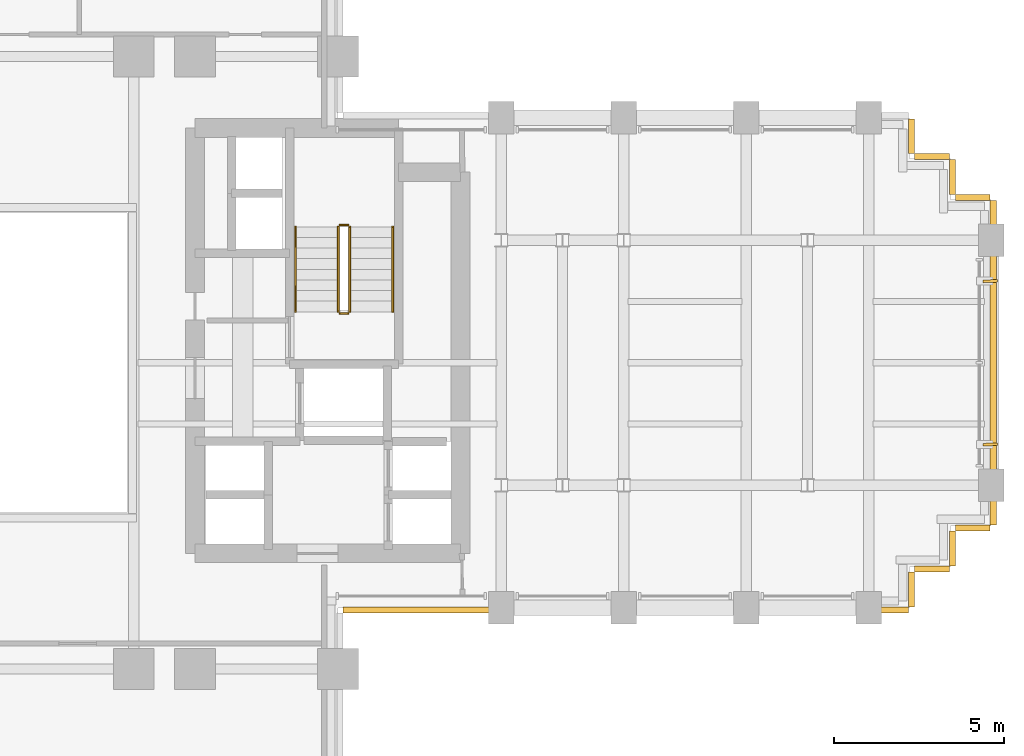
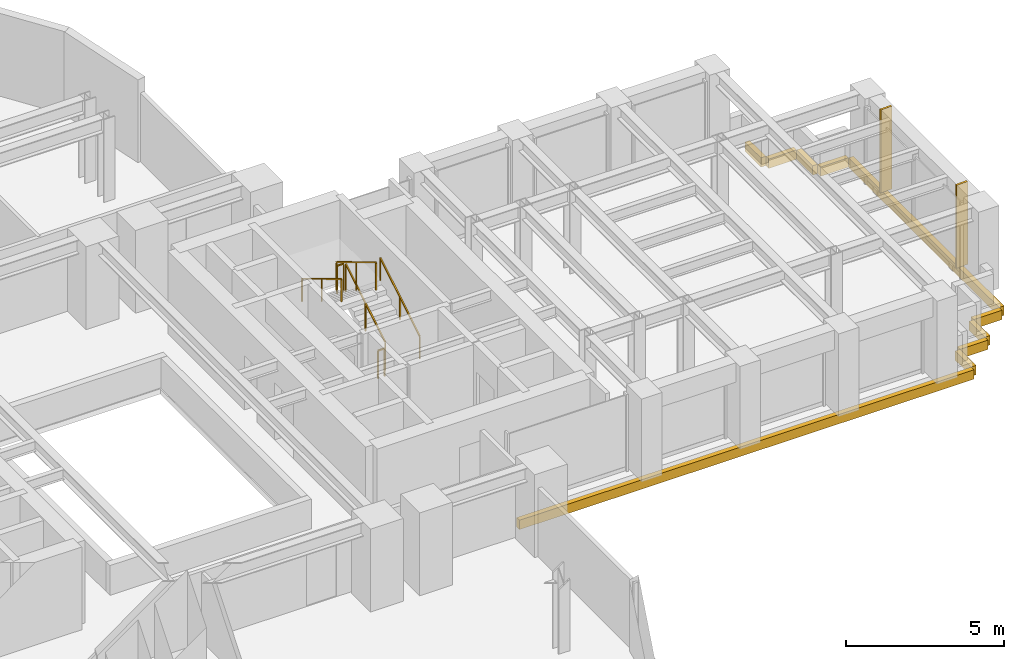
# One storey, part 15 of 16: 10 coverings, 6 railings, 2 shading devices.
"""IFC4 building model written with IfcOpenShell, lengths in metres."""

from ifc_helpers import new_model, si_unit, direction, frame, origin, origin_2d, place, context, subcontext, project, spatial, rectangle, extrude, source, transform, mapped, material, layer, layer_set, type_object, element, save


model = new_model("IFC4")

# Units and contexts
model_context = context("Model", 3, precision=1e-05, world=origin(), true_north=direction((0.0, 1.0)))
body_context = subcontext(model_context, "Body", "Model", "MODEL_VIEW")
ifc_project = project(units=[si_unit("LENGTHUNIT", "METRE"), si_unit("AREAUNIT", "SQUARE_METRE"), si_unit("VOLUMEUNIT", "CUBIC_METRE"), si_unit("PLANEANGLEUNIT", "RADIAN"), si_unit("MASSUNIT", "GRAM", prefix="KILO")], contexts=[model_context])

# Site, building, storey
site_placement = place(None, origin())
site = spatial("IfcSite", under=ifc_project, at=site_placement, CompositionType="ELEMENT")
building_placement = place(site_placement, origin())
building = spatial("IfcBuilding", under=site, at=building_placement, Name="Keilestroom Media Tower", CompositionType="ELEMENT")
storey_placement = place(building_placement, frame((0.0, 0.0, 37.39990234375)))
storey = spatial("IfcBuildingStorey", under=building, at=storey_placement, Name="L08", CompositionType="ELEMENT", Elevation=37.39990234375)

# Railings
ifc_material_1 = material(Name="Brushed Stainless Steel 1.4301", Category="steel")
railing_type_1 = type_object("IfcRailingType", Name="Stair-Pitch-Handrail-920", PredefinedType="HANDRAIL", material=ifc_material_1)
railing_1_placement = place(storey_placement, frame((11.2099609375, 1.5, 0.18896484375)))
element("IfcRailing", 1, at=railing_1_placement, inside=storey, type_object=railing_type_1, Name="L08 ST-2 stair handrail 1", PredefinedType="HANDRAIL", context=body_context, shape_type="SweptSolid", body=[
    extrude(rectangle(XDim=0.048095703125, YDim=0.048095703125, at=origin_2d()), frame((0.0, 0.0, 0.8759765625), z_axis=(0.0, 0.855433747314, 0.517912255074), x_axis=(-1.0, 0.0, 0.0)), (0.0, 0.0, 1.0), 2.91796875),
    extrude(rectangle(XDim=0.0419921875, YDim=0.0419921875, at=origin_2d()), origin(), (0.0, 0.0, 1.0), 0.84375),
    extrude(rectangle(XDim=0.0419921875, YDim=0.0419921875, at=origin_2d()), frame((0.0, 1.248046875, 0.755615234375)), (0.0, 0.0, 1.0), 0.84375),
    extrude(rectangle(XDim=0.0419921875, YDim=0.0419921875, at=origin_2d()), frame((0.0, 2.49609375, 1.51123046875)), (0.0, 0.0, 1.0), 0.84375),
])
railing_2_placement = place(storey_placement, frame((8.35009765625, 3.99609375, 1.888916015625)))
element("IfcRailing", 2, at=railing_2_placement, inside=storey, type_object=railing_type_1, Name="L08 ST-2 stair handrail 2", PredefinedType="HANDRAIL", context=body_context, shape_type="SweptSolid", body=[
    extrude(rectangle(XDim=0.048095703125, YDim=0.048095703125, at=origin_2d()), frame((0.0, 0.0, 0.8759765625), z_axis=(0.0, -0.855433747314, 0.517912255074), x_axis=(1.0, 0.0, 0.0)), (0.0, 0.0, 1.0), 2.91796875),
    extrude(rectangle(XDim=0.0419921875, YDim=0.0419921875, at=origin_2d()), origin(), (0.0, 0.0, 1.0), 0.84375),
    extrude(rectangle(XDim=0.0419921875, YDim=0.0419921875, at=origin_2d()), frame((0.0, -1.248046875, 0.755615234375)), (0.0, 0.0, 1.0), 0.84375),
    extrude(rectangle(XDim=0.0419921875, YDim=0.0419921875, at=origin_2d()), frame((0.0, -2.49609375, 1.51123046875)), (0.0, 0.0, 1.0), 0.84375),
])
ifc_material_2 = material(Name="Painted Steel Balustrade", Category="steel")
railing_type_2 = type_object("IfcRailingType", Name="Stair-Well-And-Landing-Guard-1100", PredefinedType="GUARDRAIL", material=ifc_material_2)
railing_3_placement = place(storey_placement, frame((9.949951171875, 1.5, 0.18896484375)))
element("IfcRailing", 3, at=railing_3_placement, inside=storey, type_object=railing_type_2, Name="L08 ST-2 stair guard 1", PredefinedType="GUARDRAIL", context=body_context, shape_type="SweptSolid", body=[
    extrude(rectangle(XDim=0.048095703125, YDim=0.048095703125, at=origin_2d()), frame((0.0, 0.0, 1.076171875), z_axis=(0.0, 0.855433747314, 0.517912255074), x_axis=(-1.0, 0.0, 0.0)), (0.0, 0.0, 1.0), 2.91796875),
    extrude(rectangle(XDim=0.0419921875, YDim=0.0419921875, at=origin_2d()), origin(), (0.0, 0.0, 1.0), 1.0439453125),
    extrude(rectangle(XDim=0.0419921875, YDim=0.0419921875, at=origin_2d()), frame((0.0, 1.248046875, 0.755615234375)), (0.0, 0.0, 1.0), 1.0439453125),
    extrude(rectangle(XDim=0.0419921875, YDim=0.0419921875, at=origin_2d()), frame((0.0, 2.49609375, 1.51123046875)), (0.0, 0.0, 1.0), 1.0439453125),
])
railing_4_placement = place(storey_placement, frame((9.89990234375, 4.0458984375, 1.7001953125)))
element("IfcRailing", 4, at=railing_4_placement, inside=storey, type_object=railing_type_2, Name="L08 ST-2 stair guard 2", PredefinedType="GUARDRAIL", context=body_context, shape_type="SweptSolid", body=[
    extrude(rectangle(XDim=0.048095703125, YDim=0.048095703125, at=origin_2d()), frame((0.0, 0.0, 1.076171875), z_axis=(-1.0, 0.0, 0.0), x_axis=(0.0, -1.0, 0.0)), (0.0, 0.0, 1.0), 0.239990234375),
    extrude(rectangle(XDim=0.0419921875, YDim=0.0419921875, at=origin_2d()), origin(), (0.0, 0.0, 1.0), 1.0439453125),
    extrude(rectangle(XDim=0.0419921875, YDim=0.0419921875, at=origin_2d()), frame((-0.239990234375, 0.0, 0.0)), (0.0, 0.0, 1.0), 1.0439453125),
])
railing_5_placement = place(storey_placement, frame((9.610107421875, 3.99609375, 1.888916015625)))
element("IfcRailing", 5, at=railing_5_placement, inside=storey, type_object=railing_type_2, Name="L08 ST-2 stair guard 3", PredefinedType="GUARDRAIL", context=body_context, shape_type="SweptSolid", body=[
    extrude(rectangle(XDim=0.048095703125, YDim=0.048095703125, at=origin_2d()), frame((0.0, 0.0, 1.076171875), z_axis=(0.0, -0.855433747314, 0.517912255074), x_axis=(1.0, 0.0, 0.0)), (0.0, 0.0, 1.0), 2.91796875),
    extrude(rectangle(XDim=0.0419921875, YDim=0.0419921875, at=origin_2d()), origin(), (0.0, 0.0, 1.0), 1.0439453125),
    extrude(rectangle(XDim=0.0419921875, YDim=0.0419921875, at=origin_2d()), frame((0.0, -1.248046875, 0.755615234375)), (0.0, 0.0, 1.0), 1.0439453125),
    extrude(rectangle(XDim=0.0419921875, YDim=0.0419921875, at=origin_2d()), frame((0.0, -2.49609375, 1.51123046875)), (0.0, 0.0, 1.0), 1.0439453125),
])
railing_6_placement = place(storey_placement, frame((9.89990234375, 1.449951171875, 0.0)))
element("IfcRailing", 6, at=railing_6_placement, inside=storey, type_object=railing_type_2, Name="L08 ST-2 stair guard 4", PredefinedType="GUARDRAIL", context=body_context, shape_type="SweptSolid", body=[
    extrude(rectangle(XDim=0.048095703125, YDim=0.048095703125, at=origin_2d()), frame((0.0, 0.0, 1.076171875), z_axis=(-1.0, 0.0, 0.0), x_axis=(0.0, -1.0, 0.0)), (0.0, 0.0, 1.0), 0.239990234375),
    extrude(rectangle(XDim=0.0419921875, YDim=0.0419921875, at=origin_2d()), origin(), (0.0, 0.0, 1.0), 1.0439453125),
    extrude(rectangle(XDim=0.0419921875, YDim=0.0419921875, at=origin_2d()), frame((-0.239990234375, 0.0, 0.0)), (0.0, 0.0, 1.0), 1.0439453125),
])

# Shading devices
ifc_material_3 = material(Name="Bronze Anodised Aluminium", Category="aluminium")
shading_device_type = type_object("IfcShadingDeviceType", Name="Facade-Vertical-Sunshade-Fin-SHD-1", PredefinedType="USERDEFINED", material=ifc_material_3)
shared_shape_1 = source(origin(), body_context, "Body", "SweptSolid", [
    extrude(rectangle(XDim=0.419921875, YDim=0.080078125, at=origin_2d()), origin(), (0.0, 0.0, 1.0), 3.199951171875),
])
for number, where, z_axis, x_axis, name in (
    (7, (28.77001953125, -2.39990234375, 0.0), (0.0, 0.0, 1.0), (0.999262916411, 0.038387809088, 0.0), "L08 Twisting Sunshade Fin SHD-1 007"),
    (8, (28.77001953125, 2.39990234375, 0.0), (0.0, 0.0, 1.0), (0.999262916411, 0.038387809088, 0.0), "L08 Twisting Sunshade Fin SHD-1 008"),
):
    element("IfcShadingDevice", number, at=place(storey_placement, frame(where, z_axis=z_axis, x_axis=x_axis)), inside=storey, type_object=shading_device_type, Name=name, ObjectType="SUNSHADE", PredefinedType="USERDEFINED", context=body_context, shape_type="MappedRepresentation", body=[
        mapped(shared_shape_1, transform((0.0, 0.0, 0.0), x_axis=(1.0, 0.0, 0.0), y_axis=(0.0, 1.0, 0.0), z_axis=(0.0, 0.0, 1.0), scale=1.0)),
    ])

# Coverings
ifc_material_4 = material(Name="Precast concrete C40/50", Category="concrete")
ifc_layer = layer(ifc_material_4, 0.1201171875)
ifc_layer_set = layer_set([ifc_layer], Name="Precast concrete C40/50")
covering_type = type_object("IfcCoveringType", Name="Exterior-Precast-Spandrel-Cladding-Panel-120", PredefinedType="CLADDING", material=ifc_layer_set)
shared_shape_2 = source(origin(), body_context, "Body", "SweptSolid", [
    extrude(rectangle(XDim=1.02001953125, YDim=0.179931640625, at=origin_2d()), origin(), (0.0, 0.0, 1.0), 0.360107421875),
])
for number, where, z_axis, x_axis, name in (
    (9, (28.260009765625, -4.860107421875, -0.5400390625), (0.0, 0.0, 1.0), (-1.0, 0.0, 0.0), "L08 Precast Slab-Edge Fascia Cornice 01"),
    (10, (27.659912109375, -5.4599609375, -0.5400390625), (0.0, 0.0, 1.0), (0.0, -1.0, 0.0), "L08 Precast Slab-Edge Fascia Cornice 02"),
    (11, (27.06005859375, -6.06005859375, -0.5400390625), (0.0, 0.0, 1.0), (-1.0, 0.0, 0.0), "L08 Precast Slab-Edge Fascia Cornice 03"),
    (12, (26.4599609375, -6.659912109375, -0.5400390625), (0.0, 0.0, 1.0), (0.0, -1.0, 0.0), "L08 Precast Slab-Edge Fascia Cornice 04"),
    (13, (26.4599609375, 6.659912109375, -0.5400390625), (0.0, 0.0, 1.0), (0.0, -1.0, 0.0), "L08 Precast Slab-Edge Fascia Cornice 38"),
    (14, (27.06005859375, 6.06005859375, -0.5400390625), (0.0, 0.0, 1.0), (1.0, 0.0, 0.0), "L08 Precast Slab-Edge Fascia Cornice 39"),
    (15, (27.659912109375, 5.4599609375, -0.5400390625), (0.0, 0.0, 1.0), (0.0, -1.0, 0.0), "L08 Precast Slab-Edge Fascia Cornice 40"),
    (16, (28.260009765625, 4.860107421875, -0.5400390625), (0.0, 0.0, 1.0), (1.0, 0.0, 0.0), "L08 Precast Slab-Edge Fascia Cornice 41"),
):
    element("IfcCovering", number, at=place(storey_placement, frame(where, z_axis=z_axis, x_axis=x_axis)), inside=storey, type_object=covering_type, Name=name, PredefinedType="CLADDING", context=body_context, shape_type="MappedRepresentation", body=[
        mapped(shared_shape_2, transform((0.0, 0.0, 0.0), x_axis=(1.0, 0.0, 0.0), y_axis=(0.0, 1.0, 0.0), z_axis=(0.0, 0.0, 1.0), scale=1.0)),
    ])
shared_shape_3 = source(origin(), body_context, "Body", "SweptSolid", [
    extrude(rectangle(XDim=16.6201171875, YDim=0.179931640625, at=origin_2d()), origin(), (0.0, 0.0, 1.0), 0.360107421875),
])
covering_1_placement = place(storey_placement, frame((18.06005859375, -7.260009765625, -0.5400390625), z_axis=(0.0, 0.0, 1.0), x_axis=(-1.0, 0.0, 0.0)))
element("IfcCovering", 17, at=covering_1_placement, inside=storey, type_object=covering_type, Name="L08 Precast Slab-Edge Fascia Cornice 05", PredefinedType="CLADDING", context=body_context, shape_type="MappedRepresentation", body=[
    mapped(shared_shape_3, transform((0.0, 0.0, 0.0), x_axis=(1.0, 0.0, 0.0), y_axis=(0.0, 1.0, 0.0), z_axis=(0.0, 0.0, 1.0), scale=1.0)),
])
shared_shape_4 = source(origin(), body_context, "Body", "SweptSolid", [
    extrude(rectangle(XDim=9.5400390625, YDim=0.179931640625, at=origin_2d()), origin(), (0.0, 0.0, 1.0), 0.360107421875),
])
covering_2_placement = place(storey_placement, frame((28.860107421875, 0.0, -0.5400390625), z_axis=(0.0, 0.0, 1.0), x_axis=(0.0, -1.0, 0.0)))
element("IfcCovering", 18, at=covering_2_placement, inside=storey, type_object=covering_type, Name="L08 Precast Slab-Edge Fascia Cornice 42", PredefinedType="CLADDING", context=body_context, shape_type="MappedRepresentation", body=[
    mapped(shared_shape_4, transform((0.0, 0.0, 0.0), x_axis=(1.0, 0.0, 0.0), y_axis=(0.0, 1.0, 0.0), z_axis=(0.0, 0.0, 1.0), scale=1.0)),
])

save(model, "model.ifc")
